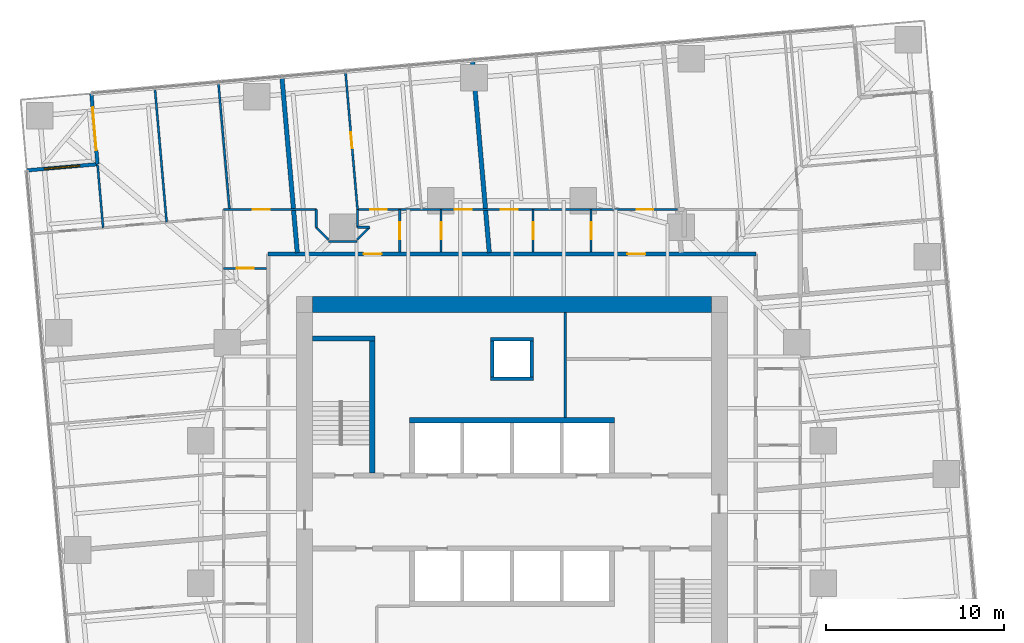
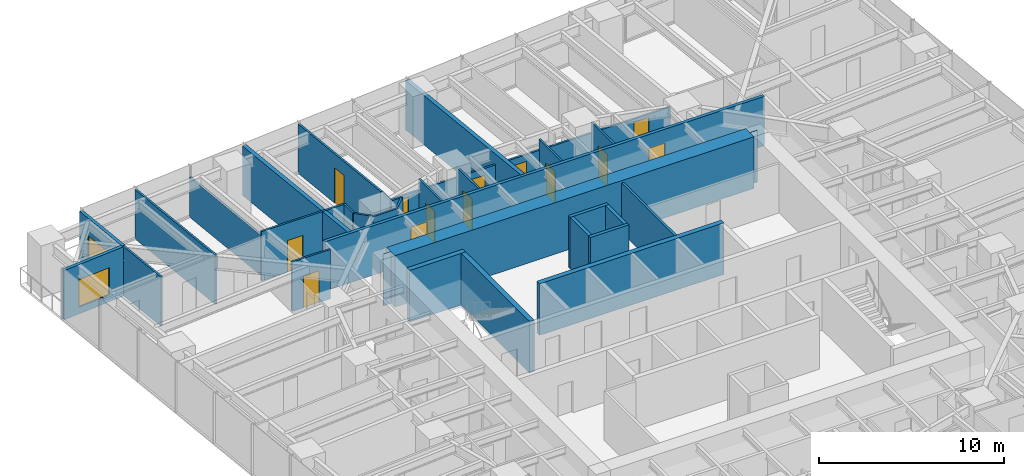
# One storey, part 12 of 14: 31 walls, 14 doors, 1 window, 15 openings.
"""IFC4 building model written with IfcOpenShell, lengths in metres."""

from ifc_helpers import new_model, si_unit, direction, frame, frame_2d, origin, place, context, subcontext, project, spatial, polyline, rectangle, outline, extrude, material, layer, layer_set, type_object, element, fill, save


model = new_model("IFC4")

# Units and contexts
model_context = context("Model", 3, precision=1e-05, world=origin(), true_north=direction((0.0, 1.0)))
body_context = subcontext(model_context, "Body", "Model", "MODEL_VIEW")
ifc_project = project(units=[si_unit("LENGTHUNIT", "METRE"), si_unit("AREAUNIT", "SQUARE_METRE"), si_unit("VOLUMEUNIT", "CUBIC_METRE"), si_unit("PLANEANGLEUNIT", "RADIAN"), si_unit("MASSUNIT", "GRAM", prefix="KILO")], contexts=[model_context])

# Site, building, storey
site_placement = place(None, origin())
site = spatial("IfcSite", under=ifc_project, at=site_placement, CompositionType="ELEMENT")
building_placement = place(site_placement, origin())
building = spatial("IfcBuilding", under=site, at=building_placement, Name="Torsade Residences", CompositionType="ELEMENT")
storey_placement = place(building_placement, frame((0.0, 0.0, 60.800048828125)))
storey = spatial("IfcBuildingStorey", under=building, at=storey_placement, Name="L16", CompositionType="ELEMENT", Elevation=60.800048828125)

# Walls
ifc_material_1 = material(Name="Concrete 80 MPa", Category="concrete")
ifc_layer_1 = layer(ifc_material_1, 0.300048828125)
ifc_layer_set_1 = layer_set([ifc_layer_1], Name="Concrete 80 MPa")
wall_type_1 = type_object("IfcWallType", Name="CORE INTERNAL WALL 300", PredefinedType="SHEAR", material=ifc_layer_set_1)
wall_1_placement = place(storey_placement, frame((34.25, 35.14990234375, 0.0), z_axis=(0.0, 0.0, 1.0), x_axis=(1.0, 0.0, 0.0)))
element("IfcWall", 1, at=wall_1_placement, inside=storey, type_object=wall_type_1, Name="Core wall BN L16", PredefinedType="SHEAR", context=body_context, shape_type="SweptSolid", body=[
    extrude(rectangle(XDim=11.5, YDim=0.300048828125, at=frame_2d((5.75, 0.0))), origin(), (0.0, 0.0, 1.0), 3.39990234375),
])
wall_2_placement = place(storey_placement, frame((32.14990234375, 32.199951171875, 0.0), z_axis=(0.0, 0.0, 1.0), x_axis=(0.0, 1.0, 0.0)))
element("IfcWall", 2, at=wall_2_placement, inside=storey, type_object=wall_type_1, Name="Core wall ST1E L16", PredefinedType="SHEAR", context=body_context, shape_type="SweptSolid", body=[
    extrude(rectangle(XDim=7.699951171875, YDim=0.300048828125, at=frame_2d((3.85009765625, 0.0))), origin(), (0.0, 0.0, 1.0), 3.39990234375),
])
wall_3_placement = place(storey_placement, frame((28.800048828125, 39.75, 0.0), z_axis=(0.0, 0.0, 1.0), x_axis=(1.0, 0.0, 0.0)))
element("IfcWall", 3, at=wall_3_placement, inside=storey, type_object=wall_type_1, Name="Core wall ST1N L16", PredefinedType="SHEAR", context=body_context, shape_type="SweptSolid", body=[
    extrude(rectangle(XDim=3.5, YDim=0.300048828125, at=frame_2d((1.75, 0.0))), origin(), (0.0, 0.0, 1.0), 3.39990234375),
])
ifc_material_2 = material(Name="Concrete 80 MPa", Category="concrete")
ifc_layer_2 = layer(ifc_material_2, 0.89990234375)
ifc_layer_set_2 = layer_set([ifc_layer_2], Name="Concrete 80 MPa")
wall_type_2 = type_object("IfcWallType", Name="CORE WALL 900", PredefinedType="SHEAR", material=ifc_layer_set_2)
wall_4_placement = place(storey_placement, frame((28.800048828125, 41.64990234375, 0.0), z_axis=(0.0, 0.0, 1.0), x_axis=(1.0, 0.0, 0.0)))
element("IfcWall", 4, at=wall_4_placement, inside=storey, type_object=wall_type_2, Name="Core wall N L16", PredefinedType="SHEAR", context=body_context, shape_type="SweptSolid", body=[
    extrude(outline(polyline([(0.0, -0.449951171875), (22.39990234375, -0.449951171875), (22.39990234375, -0.02490234375), (22.849853515625, -0.02490234375), (22.849853515625, 0.02490234375), (22.39990234375, 0.02490234375), (22.39990234375, 0.449951171875), (0.0, 0.449951171875), (0.0, 0.02490234375), (-0.449951171875, 0.02490234375), (-0.449951171875, -0.02490234375), (0.0, -0.02490234375), (0.0, -0.449951171875)])), origin(), (0.0, 0.0, 1.0), 3.39990234375),
])

# Wall, openings, doors
ifc_material_3 = material(Name="Plasterboard on steel stud", Category="steel")
ifc_layer_3 = layer(ifc_material_3, 0.199951171875)
ifc_layer_set_3 = layer_set([ifc_layer_3], Name="Plasterboard on steel stud")
wall_type_3 = type_object("IfcWallType", Name="CORRIDOR WALL 200", PredefinedType="PARTITIONING", material=ifc_layer_set_3)
wall_5_placement = place(storey_placement, frame((53.699951171875, 44.5, 0.0), z_axis=(0.0, 0.0, 1.0), x_axis=(-1.0, 0.0, 0.0)))
wall_5 = element("IfcWall", 5, at=wall_5_placement, inside=storey, type_object=wall_type_3, Name="Corridor wall L16", PredefinedType="PARTITIONING", context=body_context, shape_type="SweptSolid", body=[
    extrude(rectangle(XDim=27.39990234375, YDim=0.199951171875, at=frame_2d((13.699951171875, 0.0))), origin(), (0.0, 0.0, 1.0), 3.25),
])
opening_1_placement = place(wall_5_placement, frame((21.02099609375, 0.0, 0.0)))
opening_1 = element("IfcOpeningElement", 6, at=opening_1_placement, cuts=wall_5, Name="Opening D01", PredefinedType="OPENING", context=body_context, shape_type="SweptSolid", body=[
    extrude(rectangle(XDim=1.02001953125, YDim=2.340087890625, at=frame_2d((0.510009765625, 1.169921875))), frame((0.0, 0.10986328125, 0.0), z_axis=(0.0, -1.0, 0.0), x_axis=(1.0, 0.0, 0.0)), (0.0, 0.0, 1.0), 0.219970703125),
])
opening_2_placement = place(wall_5_placement, frame((6.201416015625, 0.0, 0.0)))
opening_2 = element("IfcOpeningElement", 7, at=opening_2_placement, cuts=wall_5, Name="Opening D01", PredefinedType="OPENING", context=body_context, shape_type="SweptSolid", body=[
    extrude(rectangle(XDim=1.02001953125, YDim=2.340087890625, at=frame_2d((0.510009765625, 1.169921875))), frame((0.0, 0.10986328125, 0.0), z_axis=(0.0, -1.0, 0.0), x_axis=(1.0, 0.0, 0.0)), (0.0, 0.0, 1.0), 0.219970703125),
])
ifc_material_4 = material(Name="Solid-core timber fire door", Category="wood")
door_type_1 = type_object("IfcDoorType", Name="APARTMENT ENTRY DOOR 1020x2340", OperationType="NOTDEFINED", PredefinedType="DOOR", material=ifc_material_4)
door_1_placement = place(opening_1_placement, origin())
door_1 = element("IfcDoor", 8, at=door_1_placement, inside=storey, type_object=door_type_1, Name="Door Residential corridor to Kitchen and dining", OperationType="SINGLE_SWING_LEFT", OverallHeight=2.340087890625, OverallWidth=1.02001953125, PredefinedType="DOOR", context=body_context, shape_type="SweptSolid", body=[
    extrude(rectangle(XDim=1.02001953125, YDim=2.340087890625, at=frame_2d((0.510009765625, 1.169921875))), frame((0.0, 0.02490234375, 0.0), z_axis=(0.0, -1.0, 0.0), x_axis=(1.0, 0.0, 0.0)), (0.0, 0.0, 1.0), 0.050048828125),
])
fill(opening_1, door_1)
door_2_placement = place(opening_2_placement, origin())
door_2 = element("IfcDoor", 9, at=door_2_placement, inside=storey, type_object=door_type_1, Name="Door Residential corridor to Kitchen and dining", OperationType="SINGLE_SWING_RIGHT", OverallHeight=2.340087890625, OverallWidth=1.02001953125, PredefinedType="DOOR", context=body_context, shape_type="SweptSolid", body=[
    extrude(rectangle(XDim=1.02001953125, YDim=2.340087890625, at=frame_2d((0.510009765625, 1.169921875))), frame((0.0, 0.02490234375, 0.0), z_axis=(0.0, -1.0, 0.0), x_axis=(1.0, 0.0, 0.0)), (0.0, 0.0, 1.0), 0.050048828125),
])
fill(opening_2, door_2)

# Wall, opening, door
ifc_material_5 = material(Name="Plasterboard on steel stud", Category="steel")
ifc_layer_4 = layer(ifc_material_5, 0.1201171875)
ifc_layer_set_4 = layer_set([ifc_layer_4], Name="Plasterboard on steel stud")
wall_type_4 = type_object("IfcWallType", Name="PARTITION 120", PredefinedType="PARTITIONING", material=ifc_layer_set_4)
wall_6_placement = place(storey_placement, frame((44.44482421875, 44.60009765625, 0.0), z_axis=(0.0, 0.0, 1.0), x_axis=(0.0, 1.0, 0.0)))
wall_6 = element("IfcWall", 10, at=wall_6_placement, inside=storey, type_object=wall_type_4, Name="Partition L16", PredefinedType="PARTITIONING", context=body_context, shape_type="SweptSolid", body=[
    extrude(rectangle(XDim=2.39990234375, YDim=0.1201171875, at=frame_2d((1.199951171875, 0.0))), origin(), (0.0, 0.0, 1.0), 3.25),
])
opening_3_placement = place(wall_6_placement, frame((0.719970703125, 0.0, 0.0)))
opening_3 = element("IfcOpeningElement", 11, at=opening_3_placement, cuts=wall_6, Name="Opening D05", PredefinedType="OPENING", context=body_context, shape_type="SweptSolid", body=[
    extrude(rectangle(XDim=0.9599609375, YDim=2.10009765625, at=frame_2d((0.47998046875, 1.050048828125))), frame((0.0, 0.070068359375, 0.0), z_axis=(0.0, -1.0, 0.0), x_axis=(1.0, 0.0, 0.0)), (0.0, 0.0, 1.0), 0.14013671875),
])
ifc_material_6 = material(Name="Hollow-core timber door in a steel cavity frame", Category="steel")
door_type_2 = type_object("IfcDoorType", Name="BATHROOM CAVITY SLIDING DOOR 960", OperationType="SLIDING_TO_LEFT", PredefinedType="DOOR", material=ifc_material_6)
door_3_placement = place(opening_3_placement, origin())
door_3 = element("IfcDoor", 12, at=door_3_placement, inside=storey, type_object=door_type_2, Name="Door Kitchen and dining to Bathroom", OperationType="SLIDING_TO_LEFT", OverallHeight=2.10009765625, OverallWidth=0.9599609375, PredefinedType="DOOR", context=body_context, shape_type="SweptSolid", body=[
    extrude(rectangle(XDim=0.9599609375, YDim=2.10009765625, at=frame_2d((0.47998046875, 1.050048828125))), frame((0.0, 0.02490234375, 0.0), z_axis=(0.0, -1.0, 0.0), x_axis=(1.0, 0.0, 0.0)), (0.0, 0.0, 1.0), 0.050048828125),
])
fill(opening_3, door_3)

# Wall, openings, doors
wall_7_placement = place(storey_placement, frame((31.318603515625, 47.0, 0.0), z_axis=(0.0, 0.0, 1.0), x_axis=(1.0, 0.0, 0.0)))
wall_7 = element("IfcWall", 13, at=wall_7_placement, inside=storey, type_object=wall_type_4, Name="Partition L16", PredefinedType="PARTITIONING", context=body_context, shape_type="SweptSolid", body=[
    extrude(rectangle(XDim=17.985107421875, YDim=0.1201171875, at=frame_2d((8.99267578125, 0.0))), origin(), (0.0, 0.0, 1.0), 2.550048828125),
])
opening_4_placement = place(wall_7_placement, frame((0.7255859375, 0.0, 0.0)))
opening_4 = element("IfcOpeningElement", 14, at=opening_4_placement, cuts=wall_7, Name="Opening D02", PredefinedType="OPENING", context=body_context, shape_type="SweptSolid", body=[
    extrude(rectangle(XDim=0.919921875, YDim=2.340087890625, at=frame_2d((0.4599609375, 1.169921875))), frame((0.0, 0.070068359375, 0.0), z_axis=(0.0, -1.0, 0.0), x_axis=(1.0, 0.0, 0.0)), (0.0, 0.0, 1.0), 0.14013671875),
])
opening_5_placement = place(wall_7_placement, frame((15.701416015625, 0.0, 0.0)))
opening_5 = element("IfcOpeningElement", 15, at=opening_5_placement, cuts=wall_7, Name="Opening D02", PredefinedType="OPENING", context=body_context, shape_type="SweptSolid", body=[
    extrude(rectangle(XDim=0.919921875, YDim=2.340087890625, at=frame_2d((0.4599609375, 1.169921875))), frame((0.0, 0.070068359375, 0.0), z_axis=(0.0, -1.0, 0.0), x_axis=(1.0, 0.0, 0.0)), (0.0, 0.0, 1.0), 0.14013671875),
])
opening_6_placement = place(wall_7_placement, frame((5.46728515625, 0.0, 0.0)))
opening_6 = element("IfcOpeningElement", 16, at=opening_6_placement, cuts=wall_7, Name="Opening D05", PredefinedType="OPENING", context=body_context, shape_type="SweptSolid", body=[
    extrude(rectangle(XDim=0.9599609375, YDim=2.10009765625, at=frame_2d((0.47998046875, 1.050048828125))), frame((0.0, 0.070068359375, 0.0), z_axis=(0.0, -1.0, 0.0), x_axis=(1.0, 0.0, 0.0)), (0.0, 0.0, 1.0), 0.14013671875),
])
opening_7_placement = place(wall_7_placement, frame((8.0498046875, 0.0, 0.0)))
opening_7 = element("IfcOpeningElement", 17, at=opening_7_placement, cuts=wall_7, Name="Opening D05", PredefinedType="OPENING", context=body_context, shape_type="SweptSolid", body=[
    extrude(rectangle(XDim=0.9599609375, YDim=2.10009765625, at=frame_2d((0.47998046875, 1.050048828125))), frame((0.0, 0.070068359375, 0.0), z_axis=(0.0, -1.0, 0.0), x_axis=(1.0, 0.0, 0.0)), (0.0, 0.0, 1.0), 0.14013671875),
])
door_4_placement = place(opening_6_placement, origin())
door_4 = element("IfcDoor", 18, at=door_4_placement, inside=storey, type_object=door_type_2, Name="Door Bathroom to Living room", OperationType="SLIDING_TO_LEFT", OverallHeight=2.10009765625, OverallWidth=0.9599609375, PredefinedType="DOOR", context=body_context, shape_type="SweptSolid", body=[
    extrude(rectangle(XDim=0.9599609375, YDim=2.10009765625, at=frame_2d((0.47998046875, 1.050048828125))), frame((0.0, 0.02490234375, 0.0), z_axis=(0.0, -1.0, 0.0), x_axis=(1.0, 0.0, 0.0)), (0.0, 0.0, 1.0), 0.050048828125),
])
fill(opening_6, door_4)
door_5_placement = place(opening_7_placement, origin())
door_5 = element("IfcDoor", 19, at=door_5_placement, inside=storey, type_object=door_type_2, Name="Door Ensuite to Bedroom 2", OperationType="SLIDING_TO_LEFT", OverallHeight=2.10009765625, OverallWidth=0.9599609375, PredefinedType="DOOR", context=body_context, shape_type="SweptSolid", body=[
    extrude(rectangle(XDim=0.9599609375, YDim=2.10009765625, at=frame_2d((0.47998046875, 1.050048828125))), frame((0.0, 0.02490234375, 0.0), z_axis=(0.0, -1.0, 0.0), x_axis=(1.0, 0.0, 0.0)), (0.0, 0.0, 1.0), 0.050048828125),
])
fill(opening_7, door_5)
ifc_material_7 = material(Name="Hollow-core timber door", Category="wood")
door_type_3 = type_object("IfcDoorType", Name="INTERNAL DOOR 920x2340", OperationType="NOTDEFINED", PredefinedType="DOOR", material=ifc_material_7)
door_6_placement = place(opening_4_placement, origin())
door_6 = element("IfcDoor", 20, at=door_6_placement, inside=storey, type_object=door_type_3, Name="Door Kitchen and dining to Bedroom 1", OperationType="SINGLE_SWING_LEFT", OverallHeight=2.340087890625, OverallWidth=0.919921875, PredefinedType="DOOR", context=body_context, shape_type="SweptSolid", body=[
    extrude(rectangle(XDim=0.919921875, YDim=2.340087890625, at=frame_2d((0.4599609375, 1.169921875))), frame((0.0, 0.02490234375, 0.0), z_axis=(0.0, -1.0, 0.0), x_axis=(1.0, 0.0, 0.0)), (0.0, 0.0, 1.0), 0.050048828125),
])
fill(opening_4, door_6)
door_7_placement = place(opening_5_placement, origin())
door_7 = element("IfcDoor", 21, at=door_7_placement, inside=storey, type_object=door_type_3, Name="Door Kitchen and dining to Living room", OperationType="SINGLE_SWING_RIGHT", OverallHeight=2.340087890625, OverallWidth=0.919921875, PredefinedType="DOOR", context=body_context, shape_type="SweptSolid", body=[
    extrude(rectangle(XDim=0.919921875, YDim=2.340087890625, at=frame_2d((0.4599609375, 1.169921875))), frame((0.0, 0.02490234375, 0.0), z_axis=(0.0, -1.0, 0.0), x_axis=(1.0, 0.0, 0.0)), (0.0, 0.0, 1.0), 0.050048828125),
])
fill(opening_5, door_7)

# Wall, opening, door
wall_8_placement = place(storey_placement, frame((41.183837890625, 44.60009765625, 0.0), z_axis=(0.0, 0.0, 1.0), x_axis=(0.0, 1.0, 0.0)))
wall_8 = element("IfcWall", 22, at=wall_8_placement, inside=storey, type_object=wall_type_4, Name="Partition L16", PredefinedType="PARTITIONING", context=body_context, shape_type="SweptSolid", body=[
    extrude(rectangle(XDim=2.39990234375, YDim=0.1201171875, at=frame_2d((1.199951171875, 0.0))), origin(), (0.0, 0.0, 1.0), 3.25),
])
opening_8_placement = place(wall_8_placement, frame((0.719970703125, 0.0, 0.0)))
opening_8 = element("IfcOpeningElement", 23, at=opening_8_placement, cuts=wall_8, Name="Opening D05", PredefinedType="OPENING", context=body_context, shape_type="SweptSolid", body=[
    extrude(rectangle(XDim=0.9599609375, YDim=2.10009765625, at=frame_2d((0.47998046875, 1.050048828125))), frame((0.0, 0.070068359375, 0.0), z_axis=(0.0, -1.0, 0.0), x_axis=(1.0, 0.0, 0.0)), (0.0, 0.0, 1.0), 0.14013671875),
])
door_8_placement = place(opening_8_placement, origin())
door_8 = element("IfcDoor", 24, at=door_8_placement, inside=storey, type_object=door_type_2, Name="Door Bathroom to Ensuite", OperationType="SLIDING_TO_LEFT", OverallHeight=2.10009765625, OverallWidth=0.9599609375, PredefinedType="DOOR", context=body_context, shape_type="SweptSolid", body=[
    extrude(rectangle(XDim=0.9599609375, YDim=2.10009765625, at=frame_2d((0.47998046875, 1.050048828125))), frame((0.0, 0.02490234375, 0.0), z_axis=(0.0, -1.0, 0.0), x_axis=(1.0, 0.0, 0.0)), (0.0, 0.0, 1.0), 0.050048828125),
])
fill(opening_8, door_8)

wall_9_placement = place(storey_placement, frame((33.68994140625, 47.0, 0.0), z_axis=(0.0, 0.0, 1.0), x_axis=(0.0, -1.0, 0.0)))
wall_9 = element("IfcWall", 25, at=wall_9_placement, inside=storey, type_object=wall_type_4, Name="Partition L16", PredefinedType="PARTITIONING", context=body_context, shape_type="SweptSolid", body=[
    extrude(rectangle(XDim=2.39990234375, YDim=0.1201171875, at=frame_2d((1.199951171875, 0.0))), origin(), (0.0, 0.0, 1.0), 3.25),
])
opening_9_placement = place(wall_9_placement, frame((0.719970703125, 0.0, 0.0)))
opening_9 = element("IfcOpeningElement", 26, at=opening_9_placement, cuts=wall_9, Name="Opening D05", PredefinedType="OPENING", context=body_context, shape_type="SweptSolid", body=[
    extrude(rectangle(XDim=0.9599609375, YDim=2.10009765625, at=frame_2d((0.47998046875, 1.050048828125))), frame((0.0, 0.070068359375, 0.0), z_axis=(0.0, -1.0, 0.0), x_axis=(1.0, 0.0, 0.0)), (0.0, 0.0, 1.0), 0.14013671875),
])
door_9_placement = place(opening_9_placement, origin())
door_9 = element("IfcDoor", 27, at=door_9_placement, inside=storey, type_object=door_type_2, Name="Door Kitchen and dining to Ensuite", OperationType="SLIDING_TO_LEFT", OverallHeight=2.10009765625, OverallWidth=0.9599609375, PredefinedType="DOOR", context=body_context, shape_type="SweptSolid", body=[
    extrude(rectangle(XDim=0.9599609375, YDim=2.10009765625, at=frame_2d((0.47998046875, 1.050048828125))), frame((0.0, 0.02490234375, 0.0), z_axis=(0.0, -1.0, 0.0), x_axis=(1.0, 0.0, 0.0)), (0.0, 0.0, 1.0), 0.050048828125),
])
fill(opening_9, door_9)

wall_10_placement = place(storey_placement, frame((23.800048828125, 47.0, 0.0), z_axis=(0.0, 0.0, 1.0), x_axis=(1.0, 0.0, 0.0)))
wall_10 = element("IfcWall", 28, at=wall_10_placement, inside=storey, type_object=wall_type_4, Name="Partition L16", PredefinedType="PARTITIONING", context=body_context, shape_type="SweptSolid", body=[
    extrude(rectangle(XDim=5.199951171875, YDim=0.1201171875, at=frame_2d((2.60009765625, 0.0))), origin(), (0.0, 0.0, 1.0), 3.25),
])
opening_10_placement = place(wall_10_placement, frame((1.617919921875, 0.0, 0.0)))
opening_10 = element("IfcOpeningElement", 29, at=opening_10_placement, cuts=wall_10, Name="Opening D05", PredefinedType="OPENING", context=body_context, shape_type="SweptSolid", body=[
    extrude(rectangle(XDim=0.9599609375, YDim=2.10009765625, at=frame_2d((0.47998046875, 1.050048828125))), frame((0.0, 0.070068359375, 0.0), z_axis=(0.0, -1.0, 0.0), x_axis=(1.0, 0.0, 0.0)), (0.0, 0.0, 1.0), 0.14013671875),
])
door_10_placement = place(opening_10_placement, origin())
door_10 = element("IfcDoor", 30, at=door_10_placement, inside=storey, type_object=door_type_2, Name="Door Bathroom to Study", OperationType="SLIDING_TO_LEFT", OverallHeight=2.10009765625, OverallWidth=0.9599609375, PredefinedType="DOOR", context=body_context, shape_type="SweptSolid", body=[
    extrude(rectangle(XDim=0.9599609375, YDim=2.10009765625, at=frame_2d((0.47998046875, 1.050048828125))), frame((0.0, 0.02490234375, 0.0), z_axis=(0.0, -1.0, 0.0), x_axis=(1.0, 0.0, 0.0)), (0.0, 0.0, 1.0), 0.050048828125),
])
fill(opening_10, door_10)

# Walls
wall_11_placement = place(storey_placement, frame((29.0, 47.0, 0.0), z_axis=(0.0, 0.0, 1.0), x_axis=(0.0, -1.0, 0.0)))
element("IfcWall", 31, at=wall_11_placement, inside=storey, type_object=wall_type_4, Name="Partition L16", PredefinedType="PARTITIONING", context=body_context, shape_type="SweptSolid", body=[
    extrude(rectangle(XDim=1.0, YDim=0.1201171875, at=frame_2d((0.5, 0.0))), origin(), (0.0, 0.0, 1.0), 3.25),
])
wall_12_placement = place(storey_placement, frame((29.0, 46.0, 0.0), z_axis=(0.0, 0.0, 1.0), x_axis=(0.707106781187, -0.707106781187, 0.0)))
element("IfcWall", 32, at=wall_12_placement, inside=storey, type_object=wall_type_4, Name="Partition L16", PredefinedType="PARTITIONING", context=body_context, shape_type="SweptSolid", body=[
    extrude(rectangle(XDim=0.989990234375, YDim=0.1201171875, at=frame_2d((0.4951171875, 0.0))), origin(), (0.0, 0.0, 1.0), 3.25),
])
wall_13_placement = place(storey_placement, frame((29.699951171875, 45.199951171875, 0.0), z_axis=(0.0, 0.0, 1.0), x_axis=(1.0, 0.0, 0.0)))
element("IfcWall", 33, at=wall_13_placement, inside=storey, type_object=wall_type_4, Name="Partition L16", PredefinedType="PARTITIONING", context=body_context, shape_type="SweptSolid", body=[
    extrude(rectangle(XDim=1.60009765625, YDim=0.1201171875, at=frame_2d((0.800048828125, 0.0))), origin(), (0.0, 0.0, 1.0), 3.25),
])
wall_14_placement = place(storey_placement, frame((31.300048828125, 45.300048828125, 0.0), z_axis=(0.0, 0.0, 1.0), x_axis=(0.707106781187, 0.707106781187, 0.0)))
element("IfcWall", 34, at=wall_14_placement, inside=storey, type_object=wall_type_4, Name="Partition L16", PredefinedType="PARTITIONING", context=body_context, shape_type="SweptSolid", body=[
    extrude(rectangle(XDim=0.989990234375, YDim=0.1201171875, at=frame_2d((0.4951171875, 0.0))), origin(), (0.0, 0.0, 1.0), 3.25),
])
wall_15_placement = place(storey_placement, frame((32.0, 46.0, 0.0), z_axis=(0.0, 0.0, 1.0), x_axis=(-1.0, 0.0, 0.0)))
element("IfcWall", 35, at=wall_15_placement, inside=storey, type_object=wall_type_4, Name="Partition L16", PredefinedType="PARTITIONING", context=body_context, shape_type="SweptSolid", body=[
    extrude(rectangle(XDim=0.681396484375, YDim=0.1201171875, at=frame_2d((0.3408203125, 0.0))), origin(), (0.0, 0.0, 1.0), 3.25),
])
wall_16_placement = place(storey_placement, frame((31.318603515625, 46.0, 0.0), z_axis=(0.0, 0.0, 1.0), x_axis=(0.0, 1.0, 0.0)))
element("IfcWall", 36, at=wall_16_placement, inside=storey, type_object=wall_type_4, Name="Partition L16", PredefinedType="PARTITIONING", context=body_context, shape_type="SweptSolid", body=[
    extrude(rectangle(XDim=1.0, YDim=0.1201171875, at=frame_2d((0.5, 0.0))), origin(), (0.0, 0.0, 1.0), 3.25),
])

# Wall, opening, door
wall_17_placement = place(storey_placement, frame((36.019287109375, 44.60009765625, 0.0), z_axis=(0.0, 0.0, 1.0), x_axis=(0.0, 1.0, 0.0)))
wall_17 = element("IfcWall", 37, at=wall_17_placement, inside=storey, type_object=wall_type_4, Name="Partition L16", PredefinedType="PARTITIONING", context=body_context, shape_type="SweptSolid", body=[
    extrude(rectangle(XDim=2.39990234375, YDim=0.1201171875, at=frame_2d((1.199951171875, 0.0))), origin(), (0.0, 0.0, 1.0), 3.25),
])
opening_11_placement = place(wall_17_placement, frame((0.719970703125, 0.0, 0.0)))
opening_11 = element("IfcOpeningElement", 38, at=opening_11_placement, cuts=wall_17, Name="Opening D05", PredefinedType="OPENING", context=body_context, shape_type="SweptSolid", body=[
    extrude(rectangle(XDim=0.9599609375, YDim=2.10009765625, at=frame_2d((0.47998046875, 1.050048828125))), frame((0.0, 0.070068359375, 0.0), z_axis=(0.0, -1.0, 0.0), x_axis=(1.0, 0.0, 0.0)), (0.0, 0.0, 1.0), 0.14013671875),
])
door_11_placement = place(opening_11_placement, origin())
door_11 = element("IfcDoor", 39, at=door_11_placement, inside=storey, type_object=door_type_2, Name="Door Ensuite to Bathroom", OperationType="SLIDING_TO_LEFT", OverallHeight=2.10009765625, OverallWidth=0.9599609375, PredefinedType="DOOR", context=body_context, shape_type="SweptSolid", body=[
    extrude(rectangle(XDim=0.9599609375, YDim=2.10009765625, at=frame_2d((0.47998046875, 1.050048828125))), frame((0.0, 0.02490234375, 0.0), z_axis=(0.0, -1.0, 0.0), x_axis=(1.0, 0.0, 0.0)), (0.0, 0.0, 1.0), 0.050048828125),
])
fill(opening_11, door_11)

wall_18_placement = place(storey_placement, frame((31.318603515625, 47.0, 0.0), z_axis=(0.0, 0.0, 1.0), x_axis=(-0.0871517452, 0.996195047824, 0.0)))
wall_18 = element("IfcWall", 40, at=wall_18_placement, inside=storey, type_object=wall_type_4, Name="Partition L16", PredefinedType="PARTITIONING", context=body_context, shape_type="SweptSolid", body=[
    extrude(rectangle(XDim=7.76806640625, YDim=0.1201171875, at=frame_2d((3.884033203125, 0.0))), origin(), (0.0, 0.0, 1.0), 3.25),
])
opening_12_placement = place(wall_18_placement, frame((3.444091796875, 0.0, 0.0)))
opening_12 = element("IfcOpeningElement", 41, at=opening_12_placement, cuts=wall_18, Name="Opening D02", PredefinedType="OPENING", context=body_context, shape_type="SweptSolid", body=[
    extrude(rectangle(XDim=0.919921875, YDim=2.340087890625, at=frame_2d((0.4599609375, 1.169921875))), frame((0.0, 0.070068359375, 0.0), z_axis=(0.0, -1.0, 0.0), x_axis=(1.0, 0.0, 0.0)), (0.0, 0.0, 1.0), 0.14013671875),
])
door_12_placement = place(opening_12_placement, origin())
door_12 = element("IfcDoor", 42, at=door_12_placement, inside=storey, type_object=door_type_3, Name="Door Bedroom 1 to Bedroom 2", OperationType="SINGLE_SWING_RIGHT", OverallHeight=2.340087890625, OverallWidth=0.919921875, PredefinedType="DOOR", context=body_context, shape_type="SweptSolid", body=[
    extrude(rectangle(XDim=0.919921875, YDim=2.340087890625, at=frame_2d((0.4599609375, 1.169921875))), frame((0.0, 0.02490234375, 0.0), z_axis=(0.0, -1.0, 0.0), x_axis=(1.0, 0.0, 0.0)), (0.0, 0.0, 1.0), 0.050048828125),
])
fill(opening_12, door_12)

wall_19_placement = place(storey_placement, frame((23.800048828125, 43.68994140625, 0.0), z_axis=(0.0, 0.0, 1.0), x_axis=(1.0, 0.0, 0.0)))
wall_19 = element("IfcWall", 43, at=wall_19_placement, inside=storey, type_object=wall_type_4, Name="Partition L16", PredefinedType="PARTITIONING", context=body_context, shape_type="SweptSolid", body=[
    extrude(rectangle(XDim=2.39990234375, YDim=0.1201171875, at=frame_2d((1.199951171875, 0.0))), origin(), (0.0, 0.0, 1.0), 3.25),
])
opening_13_placement = place(wall_19_placement, frame((0.719970703125, 0.0, 0.0)))
opening_13 = element("IfcOpeningElement", 44, at=opening_13_placement, cuts=wall_19, Name="Opening D05", PredefinedType="OPENING", context=body_context, shape_type="SweptSolid", body=[
    extrude(rectangle(XDim=0.9599609375, YDim=2.10009765625, at=frame_2d((0.47998046875, 1.050048828125))), frame((0.0, 0.070068359375, 0.0), z_axis=(0.0, -1.0, 0.0), x_axis=(1.0, 0.0, 0.0)), (0.0, 0.0, 1.0), 0.14013671875),
])
door_13_placement = place(opening_13_placement, origin())
door_13 = element("IfcDoor", 45, at=door_13_placement, inside=storey, type_object=door_type_2, Name="Door Kitchen and dining to Bathroom", OperationType="SLIDING_TO_LEFT", OverallHeight=2.10009765625, OverallWidth=0.9599609375, PredefinedType="DOOR", context=body_context, shape_type="SweptSolid", body=[
    extrude(rectangle(XDim=0.9599609375, YDim=2.10009765625, at=frame_2d((0.47998046875, 1.050048828125))), frame((0.0, 0.02490234375, 0.0), z_axis=(0.0, -1.0, 0.0), x_axis=(1.0, 0.0, 0.0)), (0.0, 0.0, 1.0), 0.050048828125),
])
fill(opening_13, door_13)

# Walls
wall_20_placement = place(storey_placement, frame((19.9326171875, 53.801513671875, 0.0), z_axis=(0.0, 0.0, 1.0), x_axis=(0.087161730761, -0.99619417419, 0.0)))
element("IfcWall", 46, at=wall_20_placement, inside=storey, type_object=wall_type_4, Name="Partition L16", PredefinedType="PARTITIONING", context=body_context, shape_type="SweptSolid", body=[
    extrude(rectangle(XDim=7.543212890625, YDim=0.1201171875, at=frame_2d((3.771484375, 0.0))), origin(), (0.0, 0.0, 1.0), 3.25),
])
wall_21_placement = place(storey_placement, frame((17.020263671875, 45.974609375, 0.0), z_axis=(0.0, 0.0, 1.0), x_axis=(-0.087161821847, 0.996194166221, 0.0)))
element("IfcWall", 47, at=wall_21_placement, inside=storey, type_object=wall_type_4, Name="Partition L16", PredefinedType="PARTITIONING", context=body_context, shape_type="SweptSolid", body=[
    extrude(rectangle(XDim=3.543212890625, YDim=0.1201171875, at=frame_2d((1.771484375, 0.0))), origin(), (0.0, 0.0, 1.0), 3.25),
])
wall_22_placement = place(storey_placement, frame((23.502197265625, 54.11376953125, 0.0), z_axis=(0.0, 0.0, 1.0), x_axis=(0.087147441029, -0.996195424363, 0.0)))
element("IfcWall", 48, at=wall_22_placement, inside=storey, type_object=wall_type_4, Name="Partition L16", PredefinedType="PARTITIONING", context=body_context, shape_type="SweptSolid", body=[
    extrude(rectangle(XDim=7.140869140625, YDim=0.1201171875, at=frame_2d((3.5703125, 0.0))), origin(), (0.0, 0.0, 1.0), 2.637939453125),
])
ifc_material_8 = material(Name="Masonry-lined stud party wall", Category="masonry")
ifc_layer_5 = layer(ifc_material_8, 0.25)
ifc_layer_set_5 = layer_set([ifc_layer_5], Name="Masonry-lined stud party wall")
wall_type_5 = type_object("IfcWallType", Name="PARTY WALL 250", PredefinedType="PARTITIONING", material=ifc_layer_set_5)
wall_23_placement = place(storey_placement, frame((37.777587890625, 55.403076171875, 0.0), z_axis=(0.0, 0.0, 1.0), x_axis=(0.087140211333, -0.996196056792, 0.0)))
element("IfcWall", 49, at=wall_23_placement, inside=storey, type_object=wall_type_5, Name="Party wall L16", PredefinedType="PARTITIONING", context=body_context, shape_type="SweptSolid", body=[
    extrude(rectangle(XDim=10.873291015625, YDim=0.25, at=frame_2d((5.4365234375, 0.0))), origin(), (0.0, 0.0, 1.0), 3.25),
])
wall_24_placement = place(storey_placement, frame((27.068359375, 54.466064453125, 0.0), z_axis=(0.0, 0.0, 1.0), x_axis=(0.087157803114, -0.996194517831, 0.0)))
element("IfcWall", 50, at=wall_24_placement, inside=storey, type_object=wall_type_5, Name="Party wall L16", PredefinedType="PARTITIONING", context=body_context, shape_type="SweptSolid", body=[
    extrude(rectangle(XDim=9.932861328125, YDim=0.25, at=frame_2d((4.96630859375, 0.0))), origin(), (0.0, 0.0, 1.0), 3.25),
])
ifc_material_9 = material(Name="Reinforced blockwork", Category="masonry")
ifc_layer_6 = layer(ifc_material_9, 0.199951171875)
ifc_layer_set_6 = layer_set([ifc_layer_6], Name="Reinforced blockwork")
wall_type_6 = type_object("IfcWallType", Name="RISER SHAFT WALL 200", PredefinedType="SOLIDWALL", material=ifc_layer_set_6)
for number, where, z_axis, x_axis, name in (
    (51, (38.89990234375, 37.60009765625, 0.0), (0.0, 0.0, 1.0), (0.0, 1.0, 0.0), "Core wall RS1a L16"),
    (52, (41.10009765625, 37.60009765625, 0.0), (0.0, 0.0, 1.0), (0.0, 1.0, 0.0), "Core wall RS1b L16"),
):
    element("IfcWall", number, at=place(storey_placement, frame(where, z_axis=z_axis, x_axis=x_axis)), inside=storey, type_object=wall_type_6, Name=name, PredefinedType="SOLIDWALL", context=body_context, shape_type="SweptSolid", body=[
        extrude(rectangle(XDim=2.0, YDim=0.199951171875, at=frame_2d((1.0, 0.0))), origin(), (0.0, 0.0, 1.0), 3.39990234375),
    ])
for number, where, z_axis, x_axis, name in (
    (53, (38.800048828125, 37.5, 0.0), (0.0, 0.0, 1.0), (1.0, 0.0, 0.0), "Core wall RS1c L16"),
    (54, (38.800048828125, 39.699951171875, 0.0), (0.0, 0.0, 1.0), (1.0, 0.0, 0.0), "Core wall RS1d L16"),
):
    element("IfcWall", number, at=place(storey_placement, frame(where, z_axis=z_axis, x_axis=x_axis)), inside=storey, type_object=wall_type_6, Name=name, PredefinedType="SOLIDWALL", context=body_context, shape_type="SweptSolid", body=[
        extrude(rectangle(XDim=2.39990234375, YDim=0.199951171875, at=frame_2d((1.199951171875, 0.0))), origin(), (0.0, 0.0, 1.0), 3.39990234375),
    ])
ifc_material_10 = material(Name="Reinforced blockwork", Category="masonry")
ifc_layer_7 = layer(ifc_material_10, 0.14990234375)
ifc_layer_set_7 = layer_set([ifc_layer_7], Name="Reinforced blockwork")
wall_type_7 = type_object("IfcWallType", Name="SERVICE ROOM WALL 150", PredefinedType="SOLIDWALL", material=ifc_layer_set_7)
wall_25_placement = place(storey_placement, frame((43.0, 41.199951171875, 0.0), z_axis=(0.0, 0.0, 1.0), x_axis=(0.0, -1.0, 0.0)))
element("IfcWall", 55, at=wall_25_placement, inside=storey, type_object=wall_type_7, Name="Service room wall L16", PredefinedType="SOLIDWALL", context=body_context, shape_type="SweptSolid", body=[
    extrude(rectangle(XDim=5.89990234375, YDim=0.14990234375, at=frame_2d((2.949951171875, 0.0))), origin(), (0.0, 0.0, 1.0), 3.25),
])

# Wall, opening, door
ifc_material_11 = material(Name="Stone-faced precast concrete 40 MPa panel", Category="masonry")
ifc_layer_8 = layer(ifc_material_11, 0.199951171875)
ifc_layer_set_8 = layer_set([ifc_layer_8], Name="Stone-faced precast concrete 40 MPa panel")
wall_type_8 = type_object("IfcWallType", Name="TERRACE WALL 200", PredefinedType="SOLIDWALL", material=ifc_layer_set_8)
wall_26_placement = place(storey_placement, frame((16.359375, 53.529052734375, 0.0), z_axis=(0.0, 0.0, 1.0), x_axis=(0.087161650072, -0.99619418125, 0.0)))
wall_26 = element("IfcWall", 56, at=wall_26_placement, inside=storey, type_object=wall_type_8, Name="Terrace wall L16 8", PredefinedType="SOLIDWALL", context=body_context, shape_type="SweptSolid", body=[
    extrude(rectangle(XDim=3.999755859375, YDim=0.199951171875, at=frame_2d((2.0, 0.0))), origin(), (0.0, 0.0, 1.0), 3.25),
])
opening_14_placement = place(wall_26_placement, frame((0.800048828125, 0.0, 0.0)))
opening_14 = element("IfcOpeningElement", 57, at=opening_14_placement, cuts=wall_26, Name="Opening D10A", PredefinedType="OPENING", context=body_context, shape_type="SweptSolid", body=[
    extrude(rectangle(XDim=2.39990234375, YDim=2.10009765625, at=frame_2d((1.199951171875, 1.050048828125))), frame((0.0, 0.10986328125, 0.0), z_axis=(0.0, -1.0, 0.0), x_axis=(1.0, 0.0, 0.0)), (0.0, 0.0, 1.0), 0.219970703125),
])
ifc_material_12 = material(Name="Aluminium-framed glass door", Category="aluminium")
door_type_4 = type_object("IfcDoorType", Name="TERRACE SLIDING DOOR 2400x2100", OperationType="SLIDING_TO_LEFT", PredefinedType="DOOR", material=ifc_material_12)
door_14_placement = place(opening_14_placement, origin())
door_14 = element("IfcDoor", 58, at=door_14_placement, inside=storey, type_object=door_type_4, Name="Terrace door L16 8", OperationType="SLIDING_TO_LEFT", OverallHeight=2.10009765625, OverallWidth=2.39990234375, PredefinedType="DOOR", context=body_context, shape_type="SweptSolid", body=[
    extrude(rectangle(XDim=2.39990234375, YDim=2.10009765625, at=frame_2d((1.199951171875, 1.050048828125))), frame((0.0, 0.02490234375, 0.0), z_axis=(0.0, -1.0, 0.0), x_axis=(1.0, 0.0, 0.0)), (0.0, 0.0, 1.0), 0.050048828125),
])
fill(opening_14, door_14)

# Wall, opening, window
wall_27_placement = place(storey_placement, frame((16.7080078125, 49.54443359375, 0.0), z_axis=(0.0, 0.0, 1.0), x_axis=(-0.99619464492, -0.087156350505, 0.0)))
wall_27 = element("IfcWall", 59, at=wall_27_placement, inside=storey, type_object=wall_type_8, Name="Terrace wall L16 9", PredefinedType="SOLIDWALL", context=body_context, shape_type="SweptSolid", body=[
    extrude(rectangle(XDim=4.0, YDim=0.199951171875, at=frame_2d((2.0, 0.0))), origin(), (0.0, 0.0, 1.0), 3.25),
])
opening_15_placement = place(wall_27_placement, frame((1.0, 0.0, 0.449951171875)))
opening_15 = element("IfcOpeningElement", 60, at=opening_15_placement, cuts=wall_27, Name="Opening W1B", PredefinedType="OPENING", context=body_context, shape_type="SweptSolid", body=[
    extrude(rectangle(XDim=2.0, YDim=1.800048828125, at=frame_2d((1.0, 0.89990234375))), frame((0.0, 0.10986328125, 0.0), z_axis=(0.0, -1.0, 0.0), x_axis=(1.0, 0.0, 0.0)), (0.0, 0.0, 1.0), 0.219970703125),
])
ifc_material_13 = material(Name="Aluminium-framed glass window", Category="aluminium")
window_type = type_object("IfcWindowType", Name="TERRACE WINDOW 2000x1800", PartitioningType="SINGLE_PANEL", PredefinedType="WINDOW", material=ifc_material_13)
window_placement = place(opening_15_placement, origin())
window = element("IfcWindow", 61, at=window_placement, inside=storey, type_object=window_type, Name="Terrace window L16 9", OverallHeight=1.800048828125, OverallWidth=2.0, PartitioningType="SINGLE_PANEL", PredefinedType="WINDOW", context=body_context, shape_type="SweptSolid", body=[
    extrude(rectangle(XDim=2.0, YDim=1.800048828125, at=frame_2d((1.0, 0.89990234375))), frame((0.0, 0.030029296875, 0.0), z_axis=(0.0, -1.0, 0.0), x_axis=(1.0, 0.0, 0.0)), (0.0, 0.0, 1.0), 0.06005859375),
])
fill(opening_15, window)

save(model, "model.ifc")
